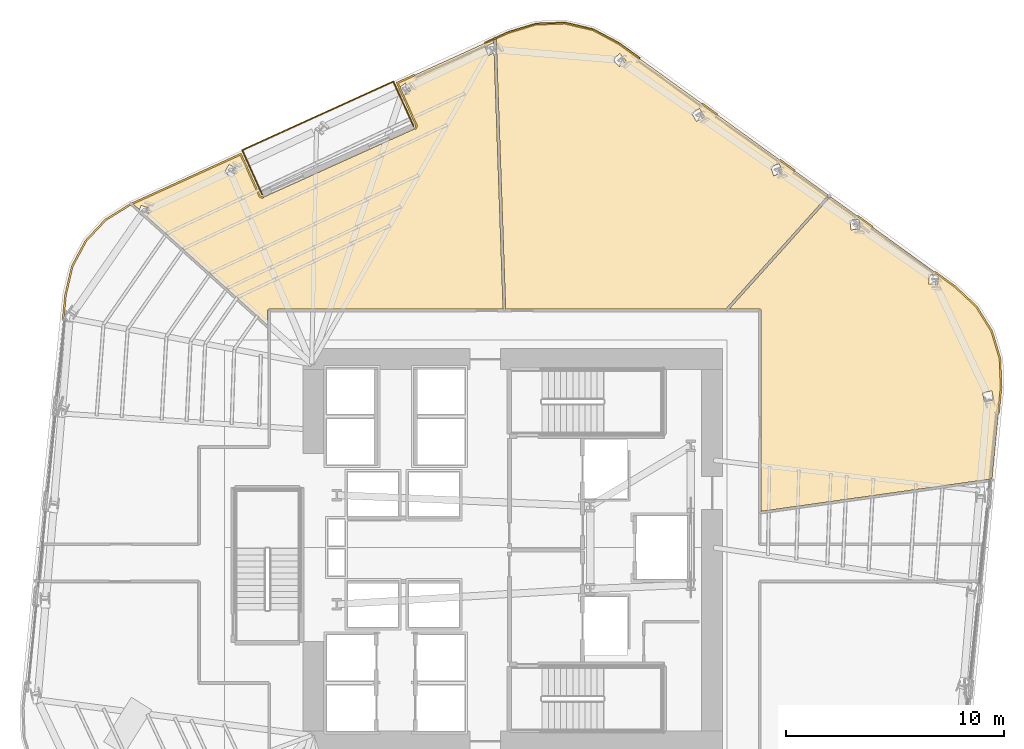
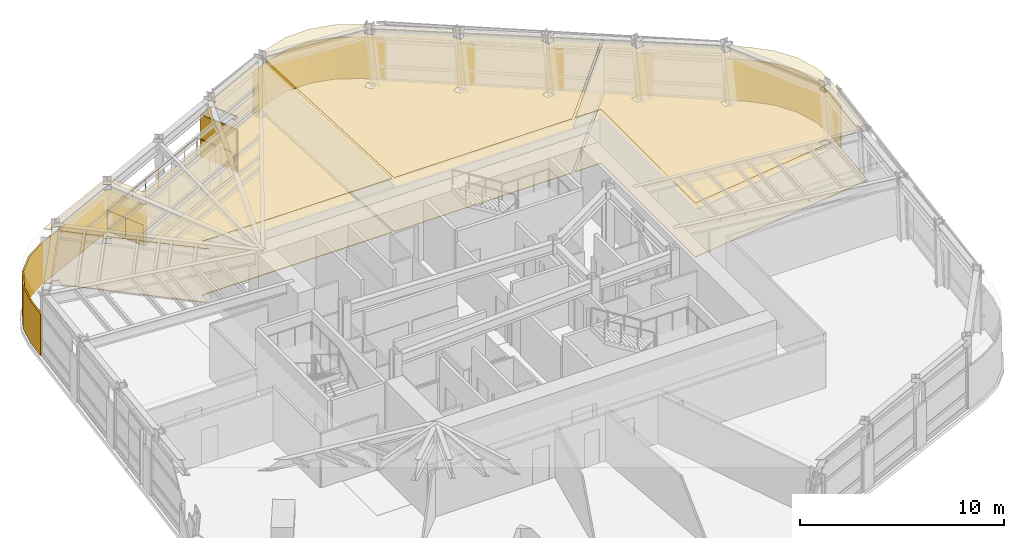
# One storey, part 15 of 16: 13 coverings, 3 railings.
"""IFC4 building model written with IfcOpenShell, lengths in metres."""

import ifcopenshell
import ifcopenshell.guid

model = None  # the IFC model being written
_history = None  # IfcOwnerHistory: only IFC2X3 demands one
_inside = {}  # id of a spatial element -> (the spatial element, [elements in it])
_under = {}  # id of a project, library or spatial element -> (it, [spatial elements below it])
_declared = {}  # id of a project -> (the project, [libraries it declares])
_typed = {}  # id of a type object -> (the type object, [elements of that type])
_made_of = {}  # id of a material, layer set ... -> (it, [elements and type objects made of it])


def new_model(schema):
    """Start an empty IFC model of exactly this schema.

    Asked for "IFC4X3", IfcOpenShell would pick the latest addendum, in which some entities
    have other attributes; the version numbers below select the first issue.
    IFC2X3 requires an IfcOwnerHistory on every rooted entity: one is made here for all.
    """
    global model, _history
    if schema == "IFC4X3":
        model = ifcopenshell.file(schema_version=(4, 3, 0, 0))
    else:
        model = ifcopenshell.file(schema=schema)
    _inside.clear()
    _under.clear()
    _declared.clear()
    _typed.clear()
    _made_of.clear()
    _history = None
    if model.schema == "IFC2X3":
        org = make("IfcOrganization", Name="unknown")
        user = make(
            "IfcPersonAndOrganization",
            ThePerson=make("IfcPerson", FamilyName="unknown"),
            TheOrganization=org,
        )
        app = make(
            "IfcApplication",
            ApplicationDeveloper=org,
            Version="unknown",
            ApplicationFullName="unknown",
            ApplicationIdentifier="unknown",
        )
        _history = make(
            "IfcOwnerHistory",
            OwningUser=user,
            OwningApplication=app,
            ChangeAction="ADDED",
            CreationDate=0,
        )
    return model


def make(cls, **values):
    """One entity of the class cls with the attributes given. An attribute that is None is left unset."""
    return model.create_entity(
        cls, **{name: value for name, value in values.items() if value is not None}
    )


def rooted(cls, **values):
    """An entity with a GlobalId (a new one), such as an element, a storey or a relation."""
    return make(cls, GlobalId=ifcopenshell.guid.new(), OwnerHistory=_history, **values)


def si_unit(unit_type, name, prefix=None):
    """IfcSIUnit, for example si_unit("LENGTHUNIT", "METRE", prefix="MILLI")."""
    return make("IfcSIUnit", UnitType=unit_type, Prefix=prefix, Name=name)


def assignment(units):
    """IfcUnitAssignment: the units of a project."""
    return None if units is None else make("IfcUnitAssignment", Units=units)


def point(xyz):
    """IfcCartesianPoint."""
    return None if xyz is None else make("IfcCartesianPoint", Coordinates=xyz)


def direction(xyz):
    """IfcDirection."""
    return None if xyz is None else make("IfcDirection", DirectionRatios=xyz)


def frame(location, z_axis=None, x_axis=None):
    """IfcAxis2Placement3D, a coordinate frame: its origin and axes. An axis left out is left unset."""
    return make(
        "IfcAxis2Placement3D",
        Location=point(location),
        Axis=direction(z_axis),
        RefDirection=direction(x_axis),
    )


def frame_2d(location, x_axis=None):
    """IfcAxis2Placement2D, a coordinate frame in the plane: its origin and x axis."""
    return make(
        "IfcAxis2Placement2D", Location=point(location), RefDirection=direction(x_axis)
    )


def origin():
    """The frame at (0, 0, 0) with its axes left unset."""
    return frame((0.0, 0.0, 0.0))


def origin_2d():
    """The frame at (0, 0) in the plane with its x axis left unset."""
    return frame_2d((0.0, 0.0))


def place(relative_to, where):
    """IfcLocalPlacement: puts the frame where relative to a parent placement (None: the world)."""
    return make(
        "IfcLocalPlacement", PlacementRelTo=relative_to, RelativePlacement=where
    )


def context(
    kind, dimensions, precision=None, world=None, true_north=None, identifier=None
):
    """IfcGeometricRepresentationContext, for example the 3D "Model" context."""
    return make(
        "IfcGeometricRepresentationContext",
        ContextIdentifier=identifier,
        ContextType=kind,
        CoordinateSpaceDimension=dimensions,
        Precision=precision,
        WorldCoordinateSystem=world,
        TrueNorth=true_north,
    )


def subcontext(parent, identifier, kind, view, scale=None):
    """IfcGeometricRepresentationSubContext, for example "Body" below "Model"."""
    return make(
        "IfcGeometricRepresentationSubContext",
        ContextIdentifier=identifier,
        ContextType=kind,
        ParentContext=parent,
        TargetScale=scale,
        TargetView=view,
    )


def project(units=None, contexts=None):
    """IfcProject with its units and contexts."""
    return rooted(
        "IfcProject",
        Name="project",
        RepresentationContexts=contexts,
        UnitsInContext=assignment(units),
    )


def spatial(cls, under=None, at=None, **own):
    """A site, building, storey or space (cls), placed at a placement, below another one or the project."""
    s = rooted(cls, ObjectPlacement=at, **own)
    if under is not None:
        _under.setdefault(under.id(), (under, []))[1].append(s)
    return s


def polyline(points):
    """IfcPolyline through the points."""
    return make("IfcPolyline", Points=[point(p) for p in points])


def profile(cls, at=None, kind="AREA", **sizes):
    """A parametric profile (cls). Its sizes go by their IFC names, for example OverallWidth=200.0."""
    return make(cls, ProfileType=kind, Position=at, **sizes)


def circle(**sizes):
    """IfcCircleProfileDef."""
    return profile("IfcCircleProfileDef", **sizes)


def outline(outer, holes=None, kind="AREA"):
    """IfcArbitraryClosedProfileDef: a profile drawn as a closed curve; with holes, ...WithVoids."""
    if holes is None:
        return make("IfcArbitraryClosedProfileDef", ProfileType=kind, OuterCurve=outer)
    return make(
        "IfcArbitraryProfileDefWithVoids",
        ProfileType=kind,
        OuterCurve=outer,
        InnerCurves=holes,
    )


def extrude(swept, where, along, depth):
    """IfcExtrudedAreaSolid: the profile swept, set in the frame where, extruded along a direction by depth."""
    return make(
        "IfcExtrudedAreaSolid",
        SweptArea=swept,
        Position=where,
        ExtrudedDirection=direction(along),
        Depth=depth,
    )


def shape(context_of_items, identifier, shape_type, items):
    """IfcShapeRepresentation: the items that make up one representation, for example the "Body"."""
    return make(
        "IfcShapeRepresentation",
        ContextOfItems=context_of_items,
        RepresentationIdentifier=identifier,
        RepresentationType=shape_type,
        Items=items,
    )


def material(Name=None, Category=None):
    """IfcMaterial."""
    return make("IfcMaterial", Name=Name, Category=Category)


def layer(
    of_material, thickness, ventilated=None, Name=None, Category=None, Priority=None
):
    """IfcMaterialLayer: one layer of a wall or slab, of a material (None: an air gap)."""
    return make(
        "IfcMaterialLayer",
        Material=of_material,
        LayerThickness=thickness,
        IsVentilated=ventilated,
        Name=Name,
        Category=Category,
        Priority=Priority,
    )


def layer_set(layers, Name=None):
    """IfcMaterialLayerSet."""
    return make("IfcMaterialLayerSet", MaterialLayers=layers, LayerSetName=Name)


def made_of(thing, what):
    """Note that an element or type object is made of a material, layer set ...; save() writes the relation."""
    if what is not None:
        _made_of.setdefault(what.id(), (what, []))[1].append(thing)
    return thing


def type_object(cls, material=None, **own):
    """A type object (cls), such as IfcWallType, which elements share."""
    return made_of(rooted(cls, **own), material)


def element(
    cls,
    number,
    at=None,
    inside=None,
    cuts=None,
    type_object=None,
    material=None,
    context=None,
    identifier="Body",
    shape_type=None,
    held_by="IfcProductDefinitionShape",
    body=None,
    shapes=None,
    **own,
):
    """One element of the class cls, such as IfcWall. Its Tag is "e" and its number.

    at: its placement. inside: the storey or other place that contains it. cuts: it is an
    opening in that element (IfcRelVoidsElement). A single representation is given by context,
    identifier, shape_type and body (its items); several are given by shapes. held_by: the class
    of the entity that holds the representations. save() writes the other relations.
    """
    e = rooted(cls, Tag="e%d" % number, ObjectPlacement=at, **own)
    if body is not None:
        shapes = [shape(context, identifier, shape_type, body)]
    if shapes is not None:
        e.Representation = make(held_by, Representations=shapes)
    if inside is not None:
        _inside.setdefault(inside.id(), (inside, []))[1].append(e)
    if cuts is not None:
        rooted(
            "IfcRelVoidsElement", RelatingBuildingElement=cuts, RelatedOpeningElement=e
        )
    if type_object is not None:
        _typed.setdefault(type_object.id(), (type_object, []))[1].append(e)
    return made_of(e, material)


def aggregate(whole, parts):
    """IfcRelAggregates: a whole, such as a stair, and the parts it consists of."""
    return rooted("IfcRelAggregates", RelatingObject=whole, RelatedObjects=parts)


def save(model, path):
    """Write the relations noted so far, then the file.

    IfcRelAggregates (storeys below a building ...), IfcRelContainedInSpatialStructure (elements
    in a storey), IfcRelDefinesByType, IfcRelAssociatesMaterial and IfcRelDeclares: one each for
    every whole, place, type object, material and project.
    """
    for whole, parts in _under.values():
        aggregate(whole, parts)
    for where, things in _inside.values():
        rooted(
            "IfcRelContainedInSpatialStructure",
            RelatedElements=things,
            RelatingStructure=where,
        )
    for kind, things in _typed.values():
        rooted("IfcRelDefinesByType", RelatedObjects=things, RelatingType=kind)
    for what, things in _made_of.values():
        rooted("IfcRelAssociatesMaterial", RelatedObjects=things, RelatingMaterial=what)
    for by, libraries in _declared.values():
        rooted("IfcRelDeclares", RelatingContext=by, RelatedDefinitions=libraries)
    model.write(path)


model = new_model("IFC4")

# Units and contexts
model_context = context("Model", 3, precision=1e-05, world=origin(), true_north=direction((0.0, 1.0)))
body_context = subcontext(model_context, "Body", "Model", "MODEL_VIEW")
ifc_project = project(units=[si_unit("LENGTHUNIT", "METRE"), si_unit("AREAUNIT", "SQUARE_METRE"), si_unit("VOLUMEUNIT", "CUBIC_METRE"), si_unit("PLANEANGLEUNIT", "RADIAN"), si_unit("MASSUNIT", "GRAM", prefix="KILO")], contexts=[model_context])

# Site, building, storey
site_placement = place(None, origin())
site = spatial("IfcSite", under=ifc_project, at=site_placement, CompositionType="ELEMENT")
building_placement = place(site_placement, origin())
building = spatial("IfcBuilding", under=site, at=building_placement, Name="Valkerne Bourse Tower", CompositionType="ELEMENT")
storey_placement = place(building_placement, frame((0.0, 0.0, 127.60009765625)))
storey = spatial("IfcBuildingStorey", under=building, at=storey_placement, Name="L32", CompositionType="ELEMENT", Elevation=127.60009765625)

# Coverings
ifc_material_1 = material(Name="Mineral Fiber Acoustic Ceiling Tile", Category="acoustic")
ifc_layer_1 = layer(ifc_material_1, 0.02490234375)
ifc_layer_set_1 = layer_set([ifc_layer_1], Name="Mineral Fiber Acoustic Ceiling Tile")
covering_type_1 = type_object("IfcCoveringType", Name="COV-CEIL-ACT", PredefinedType="CEILING", material=ifc_layer_set_1)
covering_1_placement = place(storey_placement, frame((0.0, 0.0, 3.22998046875)))
element("IfcCovering", 1, at=covering_1_placement, inside=storey, type_object=covering_type_1, Name="L32 Suspended Ceiling 08", PredefinedType="CEILING", context=body_context, shape_type="SweptSolid", body=[
    extrude(outline(polyline([(35.23388671875, 43.05859375), (35.281494140625, 43.02880859375), (35.3369140625, 43.01953125), (35.391357421875, 43.0322265625), (42.3427734375, 46.173828125), (42.373291015625, 46.203369140625), (42.393798828125, 46.240234375), (42.403076171875, 46.29541015625), (42.3955078125, 46.337158203125), (41.79638671875, 47.665283203125), (42.133544921875, 47.92333984375), (41.881591796875, 48.2548828125), (41.87841796875, 48.25439453125), (41.619873046875, 48.056640625), (41.526611328125, 48.26318359375), (45.928466796875, 50.267578125), (45.9365234375, 50.037841796875), (45.906494140625, 50.09814453125), (45.9033203125, 50.097900390625), (45.518310546875, 49.9052734375), (45.703369140625, 49.531982421875), (45.706787109375, 49.5322265625), (45.949951171875, 49.65380859375), (46.359619140625, 37.9189453125), (35.6455078125, 37.9189453125), (35.59912109375, 37.89697265625), (35.5810546875, 37.8544921875), (35.5810546875, 37.180908203125), (30.06591796875, 42.14697265625), (30.191162109375, 42.5263671875), (29.7958984375, 42.658203125), (29.793701171875, 42.656005859375), (29.7265625, 42.452392578125), (29.40380859375, 42.742919921875), (34.347900390625, 44.994384765625), (35.201416015625, 43.10400390625), (35.23388671875, 43.05859375)]), holes=[polyline([(34.1826171875, 44.330810546875), (33.8193359375, 44.53466796875), (33.81689453125, 44.53271484375), (33.607177734375, 44.156494140625), (33.970458984375, 43.95263671875), (33.972900390625, 43.95458984375), (34.1826171875, 44.330810546875)])]), origin(), (0.0, 0.0, 1.0), 0.02490234375),
])
covering_2_placement = place(storey_placement, frame((0.0, 0.0, 3.22998046875)))
element("IfcCovering", 2, at=covering_2_placement, inside=storey, type_object=covering_type_1, Name="L32 Suspended Ceiling 09", PredefinedType="CEILING", context=body_context, shape_type="SweptSolid", body=[
    extrude(outline(polyline([(68.719482421875, 36.89697265625), (69.10107421875, 35.6337890625), (69.142578125, 34.30517578125), (68.740478515625, 30.14306640625), (58.1689453125, 28.657470703125), (58.168212890625, 37.861083984375), (58.14599609375, 37.901611328125), (58.103515625, 37.9189453125), (56.7109375, 37.9189453125), (61.341552734375, 43.061767578125), (67.05517578125, 38.928466796875), (68.024169921875, 38.0185546875), (68.719482421875, 36.89697265625)]), holes=[polyline([(68.733154296875, 34.166259765625), (68.732177734375, 34.16943359375), (68.308837890625, 34.082275390625), (68.392333984375, 33.67578125), (68.393310546875, 33.672607421875), (68.816650390625, 33.759765625), (68.733154296875, 34.166259765625)]), polyline([(66.283203125, 39.470703125), (66.281494140625, 39.473388671875), (65.865966796875, 39.498046875), (65.838623046875, 39.06787109375), (65.84033203125, 39.065185546875), (66.255859375, 39.04052734375), (66.283203125, 39.470703125)]), polyline([(62.7021484375, 41.5908203125), (62.64794921875, 42.018310546875), (62.64599609375, 42.020751953125), (62.233154296875, 41.966796875), (62.287109375, 41.539306640625), (62.289306640625, 41.536865234375), (62.7021484375, 41.5908203125)])]), origin(), (0.0, 0.0, 1.0), 0.02490234375),
])
covering_3_placement = place(storey_placement, frame((0.0, 0.0, 3.22998046875)))
element("IfcCovering", 3, at=covering_3_placement, inside=storey, type_object=covering_type_1, Name="L32 Suspended Ceiling 10", PredefinedType="CEILING", context=body_context, shape_type="SweptSolid", body=[
    extrude(outline(polyline([(51.6513671875, 50.07177734375), (61.245361328125, 43.13134765625), (56.552001953125, 37.9189453125), (46.477783203125, 37.9189453125), (46.06591796875, 49.7119140625), (46.091796875, 49.724853515625), (46.0634765625, 49.781982421875), (46.044677734375, 50.320556640625), (46.6044921875, 50.575439453125), (47.876708984375, 50.959716796875), (49.195556640625, 51.001220703125), (50.48046875, 50.69970703125), (51.6513671875, 50.07177734375)]), holes=[polyline([(51.701904296875, 49.607177734375), (51.698486328125, 49.60791015625), (51.387939453125, 49.330810546875), (51.673583984375, 49.008056640625), (51.6767578125, 49.00732421875), (51.9873046875, 49.284423828125), (51.701904296875, 49.607177734375)]), polyline([(59.002197265625, 44.559814453125), (58.99951171875, 44.5615234375), (58.606201171875, 44.4248046875), (58.746337890625, 44.01708984375), (58.748779296875, 44.015380859375), (59.14208984375, 44.152099609375), (59.002197265625, 44.559814453125)]), polyline([(55.571044921875, 46.718994140625), (55.35107421875, 47.089599609375), (55.34814453125, 47.0908203125), (54.990966796875, 46.877197265625), (55.2109375, 46.50634765625), (55.2138671875, 46.505126953125), (55.571044921875, 46.718994140625)])]), origin(), (0.0, 0.0, 1.0), 0.02490234375),
])
ifc_material_2 = material(Name="Bronze Anodised Aluminium AA 6063-T6", Category="aluminium")
ifc_layer_2 = layer(ifc_material_2, 0.06005859375)
ifc_layer_set_2 = layer_set([ifc_layer_2], Name="Bronze Anodised Aluminium AA 6063-T6")
covering_type_2 = type_object("IfcCoveringType", Name="COV-CRN-ALUM", PredefinedType="CLADDING", material=ifc_layer_set_2)
covering_4_placement = place(storey_placement, origin())
element("IfcCovering", 4, at=covering_4_placement, inside=storey, type_object=covering_type_2, Name="L32 Wind-Shaped Corner Aluminium Cladding 01", PredefinedType="CLADDING", context=body_context, shape_type="SweptSolid", body=[
    extrude(outline(polyline([(49.199951171875, 51.045166015625), (50.49609375, 50.7412109375), (51.6748046875, 50.109130859375), (52.631103515625, 49.417236328125), (52.58447265625, 49.352294921875), (51.63232421875, 50.041259765625), (50.467529296875, 50.665771484375), (49.19189453125, 50.96484375), (47.882568359375, 50.923583984375), (46.6171875, 50.541748046875), (45.547607421875, 50.0546875), (45.514892578125, 50.127685546875), (46.589111328125, 50.61669921875), (47.869384765625, 51.00341796875), (49.199951171875, 51.045166015625)])), origin(), (0.0, 0.0, 1.0), 2.5),
])
covering_5_placement = place(storey_placement, origin())
element("IfcCovering", 5, at=covering_5_placement, inside=storey, type_object=covering_type_2, Name="L32 Wind-Shaped Corner Aluminium Cladding 02", PredefinedType="CLADDING", context=body_context, shape_type="SweptSolid", body=[
    extrude(outline(polyline([(56.182373046875, 46.848388671875), (56.1357421875, 46.783203125), (55.455078125, 47.275634765625), (55.501708984375, 47.3408203125), (56.182373046875, 46.848388671875)])), origin(), (0.0, 0.0, 1.0), 2.5),
])
covering_6_placement = place(storey_placement, origin())
element("IfcCovering", 6, at=covering_6_placement, inside=storey, type_object=covering_type_2, Name="L32 Wind-Shaped Corner Aluminium Cladding 03", PredefinedType="CLADDING", context=body_context, shape_type="SweptSolid", body=[
    extrude(outline(polyline([(59.733642578125, 44.279296875), (59.68701171875, 44.21435546875), (59.00634765625, 44.706787109375), (59.052978515625, 44.771484375), (59.733642578125, 44.279296875)])), origin(), (0.0, 0.0, 1.0), 2.5),
])
covering_7_placement = place(storey_placement, origin())
element("IfcCovering", 7, at=covering_7_placement, inside=storey, type_object=covering_type_2, Name="L32 Wind-Shaped Corner Aluminium Cladding 04", PredefinedType="CLADDING", context=body_context, shape_type="SweptSolid", body=[
    extrude(outline(polyline([(63.284912109375, 41.710205078125), (63.23828125, 41.645263671875), (62.5576171875, 42.1376953125), (62.604248046875, 42.20263671875), (63.284912109375, 41.710205078125)])), origin(), (0.0, 0.0, 1.0), 2.5),
])
covering_8_placement = place(storey_placement, origin())
element("IfcCovering", 8, at=covering_8_placement, inside=storey, type_object=covering_type_2, Name="L32 Wind-Shaped Corner Aluminium Cladding 05", PredefinedType="CLADDING", context=body_context, shape_type="SweptSolid", body=[
    extrude(outline(polyline([(67.083251953125, 38.96240234375), (68.05859375, 38.046630859375), (68.760009765625, 36.915283203125), (69.144775390625, 35.64111328125), (69.186767578125, 34.3037109375), (69.07666015625, 33.163818359375), (68.9970703125, 33.171875), (69.106689453125, 34.306396484375), (69.065185546875, 35.6279296875), (68.686279296875, 36.882080078125), (67.99609375, 37.99560546875), (67.0322265625, 38.900634765625), (66.10888671875, 39.568603515625), (66.155517578125, 39.6337890625), (67.083251953125, 38.96240234375)])), origin(), (0.0, 0.0, 1.0), 2.5),
])
covering_9_placement = place(storey_placement, origin())
element("IfcCovering", 9, at=covering_9_placement, inside=storey, type_object=covering_type_2, Name="L32 Wind-Shaped Corner Aluminium Cladding 21", PredefinedType="CLADDING", context=body_context, shape_type="SweptSolid", body=[
    extrude(outline(polyline([(26.298583984375, 38.584716796875), (26.60400390625, 39.88720703125), (27.233154296875, 41.060302734375), (28.144287109375, 42.030517578125), (29.281494140625, 42.735595703125), (34.36962890625, 45.052734375), (35.241455078125, 43.122314453125), (35.245849609375, 43.11376953125), (35.251220703125, 43.10546875), (35.257080078125, 43.097900390625), (35.263916015625, 43.0908203125), (35.271484375, 43.084228515625), (35.279541015625, 43.07861328125), (35.2880859375, 43.073974609375), (35.297119140625, 43.070068359375), (35.306396484375, 43.06689453125), (35.316162109375, 43.06494140625), (35.32568359375, 43.063720703125), (35.335693359375, 43.063720703125), (35.345458984375, 43.064453125), (35.35498046875, 43.066162109375), (35.364501953125, 43.06884765625), (35.373779296875, 43.072509765625), (35.406494140625, 42.99951171875), (35.39013671875, 42.9931640625), (35.373046875, 42.98828125), (35.355712890625, 42.985107421875), (35.338134765625, 42.983642578125), (35.320556640625, 42.98388671875), (35.302978515625, 42.986083984375), (35.28564453125, 42.98974609375), (35.268798828125, 42.9951171875), (35.252685546875, 43.002197265625), (35.2373046875, 43.010986328125), (35.22265625, 43.02099609375), (35.209228515625, 43.032470703125), (35.197021484375, 43.045166015625), (35.18603515625, 43.058837890625), (35.176513671875, 43.07373046875), (35.16845703125, 43.089599609375), (34.329833984375, 44.94677734375), (29.319091796875, 42.6650390625), (28.1953125, 41.96826171875), (27.298583984375, 41.01318359375), (26.679443359375, 39.858642578125), (26.377685546875, 38.5712890625), (26.2607421875, 37.4375), (26.18115234375, 37.445556640625), (26.298583984375, 38.584716796875)])), origin(), (0.0, 0.0, 1.0), 2.5),
])
covering_10_placement = place(storey_placement, origin())
element("IfcCovering", 10, at=covering_10_placement, inside=storey, type_object=covering_type_2, Name="L32 Wind-Shaped Corner Aluminium Cladding 22", PredefinedType="CLADDING", context=body_context, shape_type="SweptSolid", body=[
    extrude(outline(polyline([(42.30908203125, 46.204345703125), (42.317138671875, 46.209716796875), (42.324951171875, 46.2158203125), (42.33203125, 46.22265625), (42.33837890625, 46.22998046875), (42.343994140625, 46.23828125), (42.3486328125, 46.246826171875), (42.3525390625, 46.255859375), (42.355712890625, 46.26513671875), (42.357666015625, 46.274658203125), (42.35888671875, 46.284423828125), (42.359130859375, 46.294189453125), (42.3583984375, 46.303955078125), (42.3564453125, 46.313720703125), (42.353759765625, 46.322998046875), (42.35009765625, 46.332275390625), (41.468505859375, 48.28515625), (42.290283203125, 48.659423828125), (42.3232421875, 48.58642578125), (41.57421875, 48.245361328125), (42.423095703125, 46.365234375), (42.4296875, 46.3486328125), (42.4345703125, 46.331787109375), (42.4375, 46.314453125), (42.43896484375, 46.296875), (42.438720703125, 46.279052734375), (42.436767578125, 46.261474609375), (42.432861328125, 46.244384765625), (42.427490234375, 46.2275390625), (42.42041015625, 46.211181640625), (42.411865234375, 46.19580078125), (42.40185546875, 46.181396484375), (42.390380859375, 46.16796875), (42.377685546875, 46.155517578125), (42.36376953125, 46.144775390625), (42.348876953125, 46.135009765625), (42.333251953125, 46.126953125), (42.30029296875, 46.199951171875), (42.30908203125, 46.204345703125)])), origin(), (0.0, 0.0, 1.0), 2.5),
])
ifc_material_3 = material(Name="Galvanised Painted Steel", Category="steel")
ifc_layer_3 = layer(ifc_material_3, 0.044921875)
ifc_layer_set_3 = layer_set([ifc_layer_3], Name="Galvanised Painted Steel")
covering_type_3 = type_object("IfcCoveringType", Name="COV-FLR-RAF", PredefinedType="FLOORING", material=ifc_layer_set_3)
covering_11_placement = place(storey_placement, origin())
element("IfcCovering", 11, at=covering_11_placement, inside=storey, type_object=covering_type_3, Name="L32 Floor Finish 08", PredefinedType="FLOORING", context=body_context, shape_type="SweptSolid", body=[
    extrude(outline(polyline([(35.23388671875, 43.05859375), (35.281494140625, 43.02880859375), (35.3369140625, 43.01953125), (35.391357421875, 43.0322265625), (42.3427734375, 46.173828125), (42.373291015625, 46.203369140625), (42.393798828125, 46.240234375), (42.403076171875, 46.29541015625), (42.3955078125, 46.337158203125), (41.79638671875, 47.665283203125), (42.133544921875, 47.92333984375), (41.881591796875, 48.2548828125), (41.87841796875, 48.25439453125), (41.619873046875, 48.056640625), (41.526611328125, 48.26318359375), (45.928466796875, 50.267578125), (45.9365234375, 50.037841796875), (45.906494140625, 50.09814453125), (45.9033203125, 50.097900390625), (45.518310546875, 49.9052734375), (45.703369140625, 49.531982421875), (45.706787109375, 49.5322265625), (45.949951171875, 49.65380859375), (46.359619140625, 37.9189453125), (35.6455078125, 37.9189453125), (35.59912109375, 37.89697265625), (35.5810546875, 37.8544921875), (35.5810546875, 37.180908203125), (30.06591796875, 42.14697265625), (30.191162109375, 42.5263671875), (29.7958984375, 42.658203125), (29.793701171875, 42.656005859375), (29.7265625, 42.452392578125), (29.40380859375, 42.742919921875), (34.347900390625, 44.994384765625), (35.201416015625, 43.10400390625), (35.23388671875, 43.05859375)]), holes=[polyline([(34.1826171875, 44.330810546875), (33.8193359375, 44.53466796875), (33.81689453125, 44.53271484375), (33.607177734375, 44.156494140625), (33.970458984375, 43.95263671875), (33.972900390625, 43.95458984375), (34.1826171875, 44.330810546875)])]), origin(), (0.0, 0.0, 1.0), 0.044921875),
])
ifc_material_4 = material(Name="Polished Granite Stone", Category="masonry")
ifc_layer_4 = layer(ifc_material_4, 0.030029296875)
ifc_layer_set_4 = layer_set([ifc_layer_4], Name="Polished Granite Stone")
covering_type_4 = type_object("IfcCoveringType", Name="COV-FLR-TERRAZZO", PredefinedType="FLOORING", material=ifc_layer_set_4)
covering_12_placement = place(storey_placement, origin())
element("IfcCovering", 12, at=covering_12_placement, inside=storey, type_object=covering_type_4, Name="L32 Floor Finish 09", PredefinedType="FLOORING", context=body_context, shape_type="SweptSolid", body=[
    extrude(outline(polyline([(68.719482421875, 36.89697265625), (69.10107421875, 35.6337890625), (69.142578125, 34.30517578125), (68.740478515625, 30.14306640625), (58.1689453125, 28.657470703125), (58.168212890625, 37.861083984375), (58.14599609375, 37.901611328125), (58.103515625, 37.9189453125), (56.7109375, 37.9189453125), (61.341552734375, 43.061767578125), (67.05517578125, 38.928466796875), (68.024169921875, 38.0185546875), (68.719482421875, 36.89697265625)]), holes=[polyline([(68.733154296875, 34.166259765625), (68.732177734375, 34.16943359375), (68.308837890625, 34.082275390625), (68.392333984375, 33.67578125), (68.393310546875, 33.672607421875), (68.816650390625, 33.759765625), (68.733154296875, 34.166259765625)]), polyline([(66.283203125, 39.470703125), (66.281494140625, 39.473388671875), (65.865966796875, 39.498046875), (65.838623046875, 39.06787109375), (65.84033203125, 39.065185546875), (66.255859375, 39.04052734375), (66.283203125, 39.470703125)]), polyline([(62.7021484375, 41.5908203125), (62.64794921875, 42.018310546875), (62.64599609375, 42.020751953125), (62.233154296875, 41.966796875), (62.287109375, 41.539306640625), (62.289306640625, 41.536865234375), (62.7021484375, 41.5908203125)])]), origin(), (0.0, 0.0, 1.0), 0.02978515625),
])
covering_13_placement = place(storey_placement, origin())
element("IfcCovering", 13, at=covering_13_placement, inside=storey, type_object=covering_type_4, Name="L32 Floor Finish 10", PredefinedType="FLOORING", context=body_context, shape_type="SweptSolid", body=[
    extrude(outline(polyline([(51.6513671875, 50.07177734375), (61.245361328125, 43.13134765625), (56.552001953125, 37.9189453125), (46.477783203125, 37.9189453125), (46.06591796875, 49.7119140625), (46.091796875, 49.724853515625), (46.0634765625, 49.781982421875), (46.044677734375, 50.320556640625), (46.6044921875, 50.575439453125), (47.876708984375, 50.959716796875), (49.195556640625, 51.001220703125), (50.48046875, 50.69970703125), (51.6513671875, 50.07177734375)]), holes=[polyline([(51.701904296875, 49.607177734375), (51.698486328125, 49.60791015625), (51.387939453125, 49.330810546875), (51.673583984375, 49.008056640625), (51.6767578125, 49.00732421875), (51.9873046875, 49.284423828125), (51.701904296875, 49.607177734375)]), polyline([(59.002197265625, 44.559814453125), (58.99951171875, 44.5615234375), (58.606201171875, 44.4248046875), (58.746337890625, 44.01708984375), (58.748779296875, 44.015380859375), (59.14208984375, 44.152099609375), (59.002197265625, 44.559814453125)]), polyline([(55.571044921875, 46.718994140625), (55.35107421875, 47.089599609375), (55.34814453125, 47.0908203125), (54.990966796875, 46.877197265625), (55.2109375, 46.50634765625), (55.2138671875, 46.505126953125), (55.571044921875, 46.718994140625)])]), origin(), (0.0, 0.0, 1.0), 0.02978515625),
])

# Railings
ifc_material_5 = material(Name="Laminated Tempered Safety Glass", Category="glass")
railing_type = type_object("IfcRailingType", Name="RLG-GUARD-1150", PredefinedType="BALUSTRADE", material=ifc_material_5)
railing_1_placement = place(storey_placement, frame((41.336181640625, 48.334716796875, 0.0)))
element("IfcRailing", 14, at=railing_1_placement, inside=storey, type_object=railing_type, Name="L32 V-Notch Terrace Glass Balustrade 1", PredefinedType="BALUSTRADE", context=body_context, shape_type="SweptSolid", body=[
    extrude(circle(Radius=0.02392578125, at=origin_2d()), frame((0.0, 0.0, 1.1259765625), z_axis=(0.411545882286, -0.911389042491, 0.0), x_axis=(0.911389042491, 0.411545882286, 0.0)), (0.0, 0.0, 1.0), 2.242431640625),
    extrude(circle(Radius=0.02099609375, at=origin_2d()), origin(), (0.0, 0.0, 1.0), 1.101806640625),
    extrude(circle(Radius=0.02099609375, at=origin_2d()), frame((0.46142578125, -1.02197265625, 0.0)), (0.0, 0.0, 1.0), 1.101806640625),
    extrude(circle(Radius=0.02099609375, at=origin_2d()), frame((0.9228515625, -2.043701171875, 0.0)), (0.0, 0.0, 1.0), 1.101806640625),
])
railing_2_placement = place(storey_placement, frame((35.33251953125, 43.16357421875, 0.0)))
element("IfcRailing", 15, at=railing_2_placement, inside=storey, type_object=railing_type, Name="L32 V-Notch Terrace Glass Balustrade 2", PredefinedType="BALUSTRADE", context=body_context, shape_type="SweptSolid", body=[
    extrude(circle(Radius=0.02392578125, at=origin_2d()), frame((0.0, 0.0, 1.1259765625), z_axis=(-0.411512999194, 0.911403890432, 0.0), x_axis=(-0.911403890432, -0.411512999194, 0.0)), (0.0, 0.0, 1.0), 2.21826171875),
    extrude(circle(Radius=0.02099609375, at=origin_2d()), origin(), (0.0, 0.0, 1.0), 1.101806640625),
    extrude(circle(Radius=0.02099609375, at=origin_2d()), frame((-0.45654296875, 1.0107421875, 0.0)), (0.0, 0.0, 1.0), 1.101806640625),
    extrude(circle(Radius=0.02099609375, at=origin_2d()), frame((-0.912841796875, 2.021728515625, 0.0)), (0.0, 0.0, 1.0), 1.101806640625),
])
railing_3_placement = place(storey_placement, frame((34.419677734375, 45.185302734375, 0.0)))
element("IfcRailing", 16, at=railing_3_placement, inside=storey, type_object=railing_type, Name="L32 V-Notch Terrace Glass Balustrade 3", PredefinedType="BALUSTRADE", context=body_context, shape_type="SweptSolid", body=[
    extrude(circle(Radius=0.02392578125, at=origin_2d()), frame((0.0, 0.0, 1.1259765625), z_axis=(0.910091236591, 0.414407940417, 0.0), x_axis=(-0.414407940417, 0.910091236591, 0.0)), (0.0, 0.0, 1.0), 7.599853515625),
    extrude(circle(Radius=0.02099609375, at=origin_2d()), origin(), (0.0, 0.0, 1.0), 1.101806640625),
    extrude(circle(Radius=0.02099609375, at=origin_2d()), frame((0.988037109375, 0.449951171875, 0.0)), (0.0, 0.0, 1.0), 1.101806640625),
    extrude(circle(Radius=0.02099609375, at=origin_2d()), frame((1.97607421875, 0.89990234375, 0.0)), (0.0, 0.0, 1.0), 1.101806640625),
    extrude(circle(Radius=0.02099609375, at=origin_2d()), frame((2.964111328125, 1.349853515625, 0.0)), (0.0, 0.0, 1.0), 1.101806640625),
    extrude(circle(Radius=0.02099609375, at=origin_2d()), frame((3.952392578125, 1.799560546875, 0.0)), (0.0, 0.0, 1.0), 1.101806640625),
    extrude(circle(Radius=0.02099609375, at=origin_2d()), frame((4.9404296875, 2.24951171875, 0.0)), (0.0, 0.0, 1.0), 1.101806640625),
    extrude(circle(Radius=0.02099609375, at=origin_2d()), frame((5.928466796875, 2.699462890625, 0.0)), (0.0, 0.0, 1.0), 1.101806640625),
    extrude(circle(Radius=0.02099609375, at=origin_2d()), frame((6.91650390625, 3.1494140625, 0.0)), (0.0, 0.0, 1.0), 1.101806640625),
])

save(model, "model.ifc")
